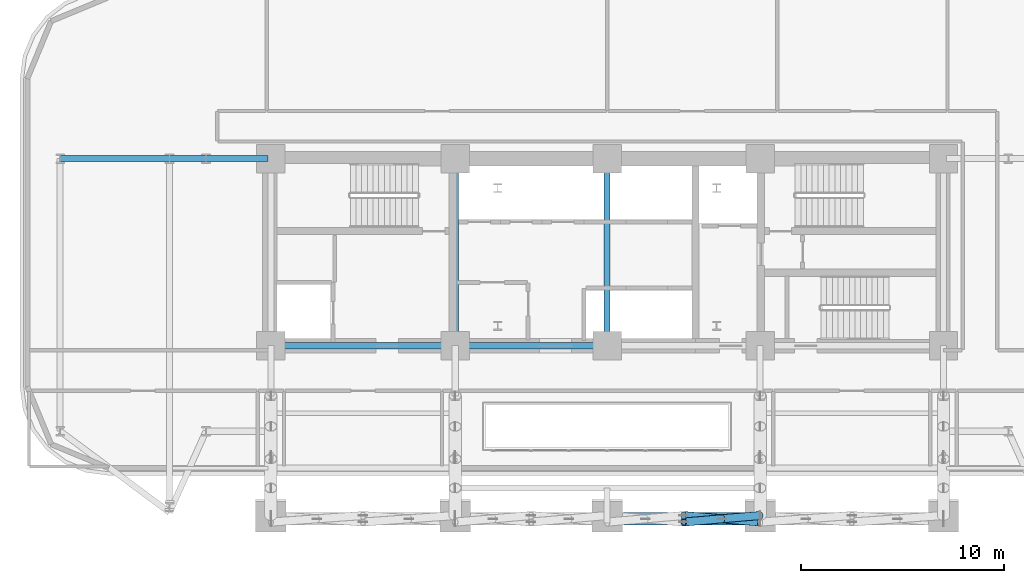
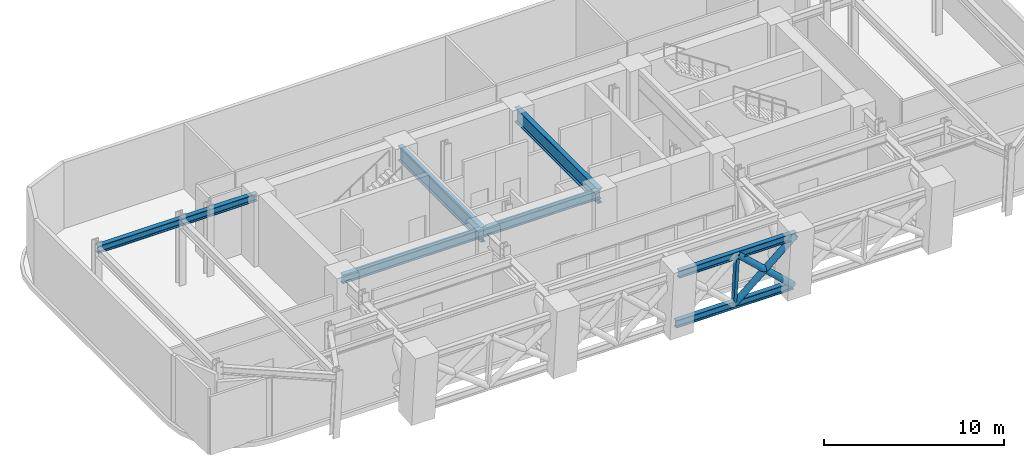
# One storey, part 4 of 12: 7 beams, 6 members.
"""IFC4 building model written with IfcOpenShell, lengths in metres."""

from ifc_helpers import new_model, si_unit, direction, frame, origin, origin_2d, place, context, subcontext, project, spatial, hollow_rectangle, hollow_circle, i_section, extrude, material, material_profile, profile_set, type_object, element, save


model = new_model("IFC4")

# Units and contexts
model_context = context("Model", 3, precision=1e-05, world=origin(), true_north=direction((0.0, 1.0)))
body_context = subcontext(model_context, "Body", "Model", "MODEL_VIEW")
ifc_project = project(units=[si_unit("LENGTHUNIT", "METRE"), si_unit("AREAUNIT", "SQUARE_METRE"), si_unit("VOLUMEUNIT", "CUBIC_METRE"), si_unit("PLANEANGLEUNIT", "RADIAN"), si_unit("MASSUNIT", "GRAM", prefix="KILO")], contexts=[model_context])

# Site, building, storey
site_placement = place(None, origin())
site = spatial("IfcSite", under=ifc_project, at=site_placement, CompositionType="ELEMENT")
building_placement = place(site_placement, origin())
building = spatial("IfcBuilding", under=site, at=building_placement, Name="Zarnavel Station Tower", CompositionType="ELEMENT")
storey_placement = place(building_placement, frame((0.0, 0.0, 74.5)))
storey = spatial("IfcBuildingStorey", under=building, at=storey_placement, Name="L20", CompositionType="ELEMENT", Elevation=74.5)

# Members
ifc_material_1 = material(Name="Steel S460M", Category="steel")
ifc_material_profile_1 = material_profile(ifc_material_1, i_section(OverallWidth=0.300048828125, OverallDepth=0.5, WebThickness=0.014404296875, FlangeThickness=0.028076171875, FilletRadius=0.027099609375, at=origin_2d()), Name="HEB500")
ifc_profile_set_1 = profile_set([ifc_material_profile_1], Name="Steel S460M")
member_type_1 = type_object("IfcMemberType", Name="BT_CHORD_HEB500", PredefinedType="CHORD", material=ifc_profile_set_1)
for number, where, z_axis, x_axis, name in (
    (1, (28.800048828125, 19.4404296875, 0.39990234375), (1.0, 0.0, 0.0), (0.0, 1.0, 0.0), "L20 Perimeter Belt Truss Bottom Chord 3"),
    (2, (28.800048828125, 19.1162109375, 3.97998046875), (1.0, 0.0, 0.0), (0.0, 1.0, 0.0), "L20 Perimeter Belt Truss Top Chord 3"),
):
    element("IfcMember", number, at=place(storey_placement, frame(where, z_axis=z_axis, x_axis=x_axis)), inside=storey, type_object=member_type_1, Name=name, PredefinedType="CHORD", context=body_context, shape_type="SweptSolid", body=[
        extrude(i_section(OverallWidth=0.300048828125, OverallDepth=0.5, WebThickness=0.014404296875, FlangeThickness=0.028076171875, FilletRadius=0.027099609375, at=origin_2d()), origin(), (0.0, 0.0, 1.0), 7.550048828125),
    ])
ifc_material_2 = material(Name="Steel S460M", Category="steel")
ifc_material_profile_2 = material_profile(ifc_material_2, hollow_circle(Radius=0.203125, WallThickness=0.01611328125, at=origin_2d()), Name="CHS406.4x16")
ifc_profile_set_2 = profile_set([ifc_material_profile_2], Name="Steel S460M")
member_type_2 = type_object("IfcMemberType", Name="BT_DIAG_CHS406", PredefinedType="BRACE", material=ifc_profile_set_2)
member_1_placement = place(storey_placement, frame((32.574951171875, 19.4404296875, 0.39990234375), z_axis=(0.724200058233, -0.0621960601, 0.686779386531), x_axis=(0.08556744495, 0.996332380466, 0.0)))
element("IfcMember", 3, at=member_1_placement, inside=storey, type_object=member_type_2, Name="L20 Belt Truss Continuous Diagonal A2 3", PredefinedType="BRACE", context=body_context, shape_type="SweptSolid", body=[
    extrude(hollow_circle(Radius=0.203125, WallThickness=0.01611328125, at=origin_2d()), origin(), (0.0, 0.0, 1.0), 5.212890625),
])
for number, where, z_axis, x_axis, name in (
    (4, (36.35009765625, 19.4404296875, 0.39990234375), (-0.724222328454, -0.062193950607, 0.686756093149), (0.085561952128, -0.996332852187, 0.0), "L20 Belt Truss Split Diagonal B2 Lower 3"),
    (5, (34.46240234375, 19.2783203125, 2.18994140625), (-0.724177785745, -0.062198169672, 0.686802680777), (0.085572938474, -0.996331908653, 0.0), "L20 Belt Truss Split Diagonal B2 Upper 3"),
):
    element("IfcMember", number, at=place(storey_placement, frame(where, z_axis=z_axis, x_axis=x_axis)), inside=storey, type_object=member_type_2, Name=name, PredefinedType="BRACE", context=body_context, shape_type="SweptSolid", body=[
        extrude(hollow_circle(Radius=0.203125, WallThickness=0.01611328125, at=origin_2d()), origin(), (0.0, 0.0, 1.0), 2.6064453125),
    ])
ifc_material_3 = material(Name="Steel S460M", Category="steel")
ifc_material_profile_3 = material_profile(ifc_material_3, hollow_rectangle(XDim=0.199951171875, YDim=0.300048828125, WallThickness=0.012451171875, at=origin_2d()), Name="RHS300x200x12.5")
ifc_profile_set_3 = profile_set([ifc_material_profile_3], Name="Steel S460M")
member_type_3 = type_object("IfcMemberType", Name="BT_POST_RHS300", PredefinedType="POST", material=ifc_profile_set_3)
member_2_placement = place(storey_placement, frame((32.574951171875, 19.4404296875, 0.39990234375), z_axis=(0.0, -0.090192819133, 0.995924322113), x_axis=(1.0, 0.0, 0.0)))
element("IfcMember", 6, at=member_2_placement, inside=storey, type_object=member_type_3, Name="L20 Belt Truss Mid-Bay Post 3", PredefinedType="POST", context=body_context, shape_type="SweptSolid", body=[
    extrude(hollow_rectangle(XDim=0.199951171875, YDim=0.300048828125, WallThickness=0.012451171875, at=origin_2d()), origin(), (0.0, 0.0, 1.0), 3.5947265625),
])

# Beams
ifc_material_4 = material(Name="Steel S355J2", Category="steel")
ifc_material_profile_4 = material_profile(ifc_material_4, i_section(OverallWidth=0.300048828125, OverallDepth=0.5, WebThickness=0.014404296875, FlangeThickness=0.028076171875, FilletRadius=0.027099609375, at=origin_2d()), Name="HEB500")
ifc_profile_set_4 = profile_set([ifc_material_profile_4], Name="Steel S355J2")
beam_type_1 = type_object("IfcBeamType", Name="FG_HEB500", PredefinedType="USERDEFINED", material=ifc_profile_set_4)
beam_1_placement = place(storey_placement, frame((1.800048828125, 37.050048828125, 4.22998046875), z_axis=(1.0, 0.0, 0.0), x_axis=(0.0, 1.0, 0.0)))
element("IfcBeam", 7, at=beam_1_placement, inside=storey, type_object=beam_type_1, Name="L20 West Wing North Tie 1", ObjectType="GIRDER", PredefinedType="USERDEFINED", context=body_context, shape_type="SweptSolid", body=[
    extrude(i_section(OverallWidth=0.300048828125, OverallDepth=0.5, WebThickness=0.014404296875, FlangeThickness=0.028076171875, FilletRadius=0.027099609375, at=origin_2d()), origin(), (0.0, 0.0, 1.0), 5.39990234375),
])
beam_2_placement = place(storey_placement, frame((7.199951171875, 37.050048828125, 4.22998046875), z_axis=(1.0, 0.0, 0.0), x_axis=(0.0, 1.0, 0.0)))
element("IfcBeam", 8, at=beam_2_placement, inside=storey, type_object=beam_type_1, Name="L20 West Wing North Tie 2", ObjectType="GIRDER", PredefinedType="USERDEFINED", context=body_context, shape_type="SweptSolid", body=[
    extrude(i_section(OverallWidth=0.300048828125, OverallDepth=0.5, WebThickness=0.014404296875, FlangeThickness=0.028076171875, FilletRadius=0.027099609375, at=origin_2d()), origin(), (0.0, 0.0, 1.0), 1.800048828125),
])
beam_3_placement = place(storey_placement, frame((9.0, 37.050048828125, 4.22998046875), z_axis=(1.0, 0.0, 0.0), x_axis=(0.0, 1.0, 0.0)))
element("IfcBeam", 9, at=beam_3_placement, inside=storey, type_object=beam_type_1, Name="L20 West Wing North Tie 3", ObjectType="GIRDER", PredefinedType="USERDEFINED", context=body_context, shape_type="SweptSolid", body=[
    extrude(i_section(OverallWidth=0.300048828125, OverallDepth=0.5, WebThickness=0.014404296875, FlangeThickness=0.028076171875, FilletRadius=0.027099609375, at=origin_2d()), origin(), (0.0, 0.0, 1.0), 3.054931640625),
])
ifc_material_5 = material(Name="Steel S355J2", Category="steel")
ifc_material_profile_5 = material_profile(ifc_material_5, i_section(OverallWidth=0.300048828125, OverallDepth=0.60009765625, WebThickness=0.015380859375, FlangeThickness=0.030029296875, FilletRadius=0.027099609375, at=origin_2d()), Name="HEB600")
ifc_profile_set_5 = profile_set([ifc_material_profile_5], Name="Steel S355J2")
beam_type_2 = type_object("IfcBeamType", Name="FG_HEB600", PredefinedType="USERDEFINED", material=ifc_profile_set_5)
beam_4_placement = place(storey_placement, frame((12.199951171875, 27.820068359375, 4.179931640625), z_axis=(1.0, 0.0, 0.0), x_axis=(0.0, 1.0, 0.0)))
element("IfcBeam", 10, at=beam_4_placement, inside=storey, type_object=beam_type_2, Name="L20 Core Front Coupling Beam 1", ObjectType="GIRDER", PredefinedType="USERDEFINED", context=body_context, shape_type="SweptSolid", body=[
    extrude(i_section(OverallWidth=0.300048828125, OverallDepth=0.60009765625, WebThickness=0.015380859375, FlangeThickness=0.030029296875, FilletRadius=0.027099609375, at=origin_2d()), origin(), (0.0, 0.0, 1.0), 9.10009765625),
])
beam_5_placement = place(storey_placement, frame((21.300048828125, 27.820068359375, 4.179931640625), z_axis=(1.0, 0.0, 0.0), x_axis=(0.0, 1.0, 0.0)))
element("IfcBeam", 11, at=beam_5_placement, inside=storey, type_object=beam_type_2, Name="L20 Core Front Coupling Beam 2", ObjectType="GIRDER", PredefinedType="USERDEFINED", context=body_context, shape_type="SweptSolid", body=[
    extrude(i_section(OverallWidth=0.300048828125, OverallDepth=0.60009765625, WebThickness=0.015380859375, FlangeThickness=0.030029296875, FilletRadius=0.027099609375, at=origin_2d()), origin(), (0.0, 0.0, 1.0), 7.5),
])
ifc_material_6 = material(Name="Steel S460M", Category="steel")
ifc_material_profile_6 = material_profile(ifc_material_6, i_section(OverallWidth=0.302001953125, OverallDepth=1.008056640625, WebThickness=0.02099609375, FlangeThickness=0.0400390625, FilletRadius=0.030029296875, at=origin_2d()), Name="HEM1000")
ifc_profile_set_6 = profile_set([ifc_material_profile_6], Name="Steel S460M")
beam_type_3 = type_object("IfcBeamType", Name="TG_HEM1000", PredefinedType="USERDEFINED", material=ifc_profile_set_6)
for number, where, z_axis, x_axis, name in (
    (12, (21.300048828125, 27.820068359375, 3.97607421875), (0.0, 1.0, 0.0), (-1.0, 0.0, 0.0), "L20 Core Spine Coupling Girder 2"),
    (13, (28.800048828125, 27.820068359375, 3.97607421875), (0.0, 1.0, 0.0), (-1.0, 0.0, 0.0), "L20 Core Spine Coupling Girder 3"),
):
    element("IfcBeam", number, at=place(storey_placement, frame(where, z_axis=z_axis, x_axis=x_axis)), inside=storey, type_object=beam_type_3, Name=name, ObjectType="GIRDER", PredefinedType="USERDEFINED", context=body_context, shape_type="SweptSolid", body=[
        extrude(i_section(OverallWidth=0.302001953125, OverallDepth=1.008056640625, WebThickness=0.02099609375, FlangeThickness=0.0400390625, FilletRadius=0.030029296875, at=origin_2d()), origin(), (0.0, 0.0, 1.0), 9.22998046875),
    ])

save(model, "model.ifc")
